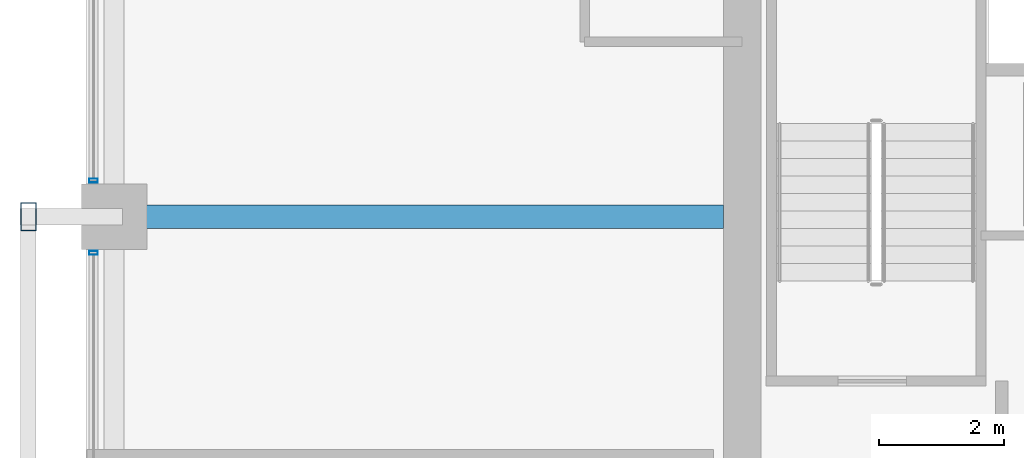
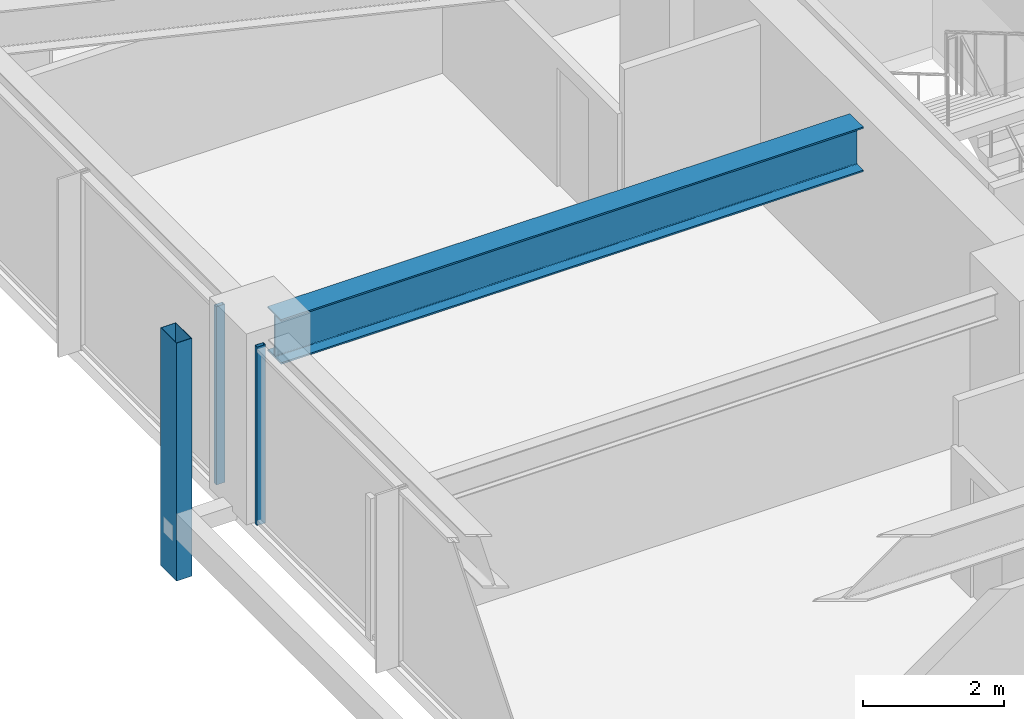
# One storey, part 11 of 38: 3 members, 1 beam, 2 elements without a shape of their own.
"""IFC4 building model written with IfcOpenShell, lengths in metres."""

from ifc_helpers import new_model, si_unit, direction, frame, origin, origin_2d, place, context, subcontext, project, spatial, hollow_rectangle, i_section, extrude, material, material_profile, profile_set, type_object, element, aggregate, save


model = new_model("IFC4")

# Units and contexts
model_context = context("Model", 3, precision=1e-05, world=origin(), true_north=direction((0.0, 1.0)))
body_context = subcontext(model_context, "Body", "Model", "MODEL_VIEW")
ifc_project = project(units=[si_unit("LENGTHUNIT", "METRE"), si_unit("AREAUNIT", "SQUARE_METRE"), si_unit("VOLUMEUNIT", "CUBIC_METRE"), si_unit("PLANEANGLEUNIT", "RADIAN"), si_unit("MASSUNIT", "GRAM", prefix="KILO")], contexts=[model_context])

# Site, building, storey
site_placement = place(None, origin())
site = spatial("IfcSite", under=ifc_project, at=site_placement, CompositionType="ELEMENT")
building_placement = place(site_placement, origin())
building = spatial("IfcBuilding", under=site, at=building_placement, Name="Kolvaren Belvedere", CompositionType="ELEMENT")
storey_placement = place(building_placement, frame((0.0, 0.0, 72.199951171875)))
storey = spatial("IfcBuildingStorey", under=building, at=storey_placement, Name="L20", CompositionType="ELEMENT", Elevation=72.199951171875)

# Beam
ifc_material_1 = material(Name="Structural steel ASTM A992 Grade 50", Category="steel")
ifc_material_profile_1 = material_profile(ifc_material_1, i_section(OverallWidth=0.381103515625, OverallDepth=0.77294921875, WebThickness=0.0166015625, FlangeThickness=0.027099609375, FilletRadius=0.02392578125, at=origin_2d()), Name="W30X173")
ifc_profile_set_1 = profile_set([ifc_material_profile_1], Name="Structural steel ASTM A992 Grade 50")
beam_type = type_object("IfcBeamType", Name="BM-GIRD-W30X173", PredefinedType="BEAM", material=ifc_profile_set_1)
beam_placement = place(storey_placement, frame((-10.199951171875, 4.60009765625, 2.693603515625), z_axis=(-1.0, 0.0, 0.0), x_axis=(0.0, -1.0, 0.0)))
element("IfcBeam", 1, at=beam_placement, inside=storey, type_object=beam_type, Name="L20 West Radial Girder P", PredefinedType="BEAM", context=body_context, shape_type="SweptSolid", body=[
    extrude(i_section(OverallWidth=0.381103515625, OverallDepth=0.77294921875, WebThickness=0.0166015625, FlangeThickness=0.027099609375, FilletRadius=0.02392578125, at=origin_2d()), origin(), (0.0, 0.0, 1.0), 9.513916015625),
])

# Curtain wall, member
ifc_material_2 = material(Name="Anodised pale-metal aluminium AA 6063-T6", Category="aluminium")
curtain_wall_type = type_object("IfcCurtainWallType", Name="CW-Z2-MID", PredefinedType="NOTDEFINED", material=ifc_material_2)
curtain_wall_1_placement = place(storey_placement, origin())
curtain_wall_1 = element("IfcCurtainWall", 2, at=curtain_wall_1_placement, inside=storey, type_object=curtain_wall_type, Name="L20 Unitised Curtain Wall FCW-L20-W-B2", PredefinedType="NOTDEFINED")
ifc_material_3 = material(Name="Anodised pale-metal aluminium AA 6063-T6", Category="aluminium")
ifc_material_profile_2 = material_profile(ifc_material_3, hollow_rectangle(XDim=0.06494140625, YDim=0.139892578125, WallThickness=0.00390625, at=origin_2d()), Name="ALU-MUL-140X65")
ifc_profile_set_2 = profile_set([ifc_material_profile_2], Name="Anodised pale-metal aluminium AA 6063-T6")
member_type_1 = type_object("IfcMemberType", Name="CW-MUL-140", PredefinedType="MULLION", material=ifc_profile_set_2)
member_1_placement = place(storey_placement, frame((-20.280029296875, 4.0224609375, 0.0), z_axis=(0.0, 0.0, 1.0), x_axis=(0.0, 1.0, 0.0)))
member_1 = element("IfcMember", 3, at=member_1_placement, type_object=member_type_1, Name="FCW-L20-W-B2 Unitised Mullion 3", PredefinedType="MULLION", context=body_context, shape_type="SweptSolid", body=[
    extrude(hollow_rectangle(XDim=0.06494140625, YDim=0.139892578125, WallThickness=0.00390625, at=origin_2d()), origin(), (0.0, 0.0, 1.0), 3.080078125),
])
aggregate(curtain_wall_1, [member_1])

curtain_wall_2_placement = place(storey_placement, origin())
curtain_wall_2 = element("IfcCurtainWall", 4, at=curtain_wall_2_placement, inside=storey, type_object=curtain_wall_type, Name="L20 Unitised Curtain Wall FCW-L20-W-B3", PredefinedType="NOTDEFINED")
member_2_placement = place(storey_placement, frame((-20.280029296875, 5.177490234375, 0.0), z_axis=(0.0, 0.0, 1.0), x_axis=(0.0, 1.0, 0.0)))
member_2 = element("IfcMember", 5, at=member_2_placement, type_object=member_type_1, Name="FCW-L20-W-B3 Unitised Mullion 1", PredefinedType="MULLION", context=body_context, shape_type="SweptSolid", body=[
    extrude(hollow_rectangle(XDim=0.06494140625, YDim=0.139892578125, WallThickness=0.00390625, at=origin_2d()), origin(), (0.0, 0.0, 1.0), 3.080078125),
])
aggregate(curtain_wall_2, [member_2])

# Member
ifc_material_4 = material(Name="Anodised pale-metal aluminium AA 6063-T6", Category="aluminium")
ifc_material_profile_3 = material_profile(ifc_material_4, hollow_rectangle(XDim=0.25, YDim=0.449951171875, WallThickness=0.008544921875, at=origin_2d()), Name="ALU-PF-450X250")
ifc_profile_set_3 = profile_set([ifc_material_profile_3], Name="Anodised pale-metal aluminium AA 6063-T6")
member_type_2 = type_object("IfcMemberType", Name="PF-FRAME-450", PredefinedType="USERDEFINED", material=ifc_profile_set_3)
member_3_placement = place(storey_placement, frame((-21.320068359375, 4.60009765625, -0.81005859375), z_axis=(0.0, 0.0, 1.0), x_axis=(1.0, 0.0, 0.0)))
element("IfcMember", 6, at=member_3_placement, inside=storey, type_object=member_type_2, Name="L20 Outboard Picture-Frame Vertical W2", ObjectType="PICTURE FRAME FIN", PredefinedType="USERDEFINED", context=body_context, shape_type="SweptSolid", body=[
    extrude(hollow_rectangle(XDim=0.25, YDim=0.449951171875, WallThickness=0.008544921875, at=origin_2d()), origin(), (0.0, 0.0, 1.0), 4.110107421875),
])

save(model, "model.ifc")
